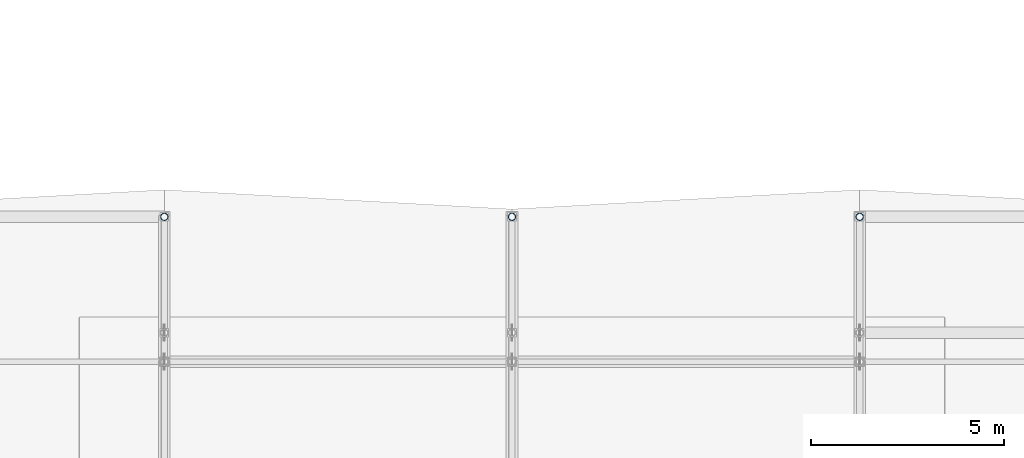
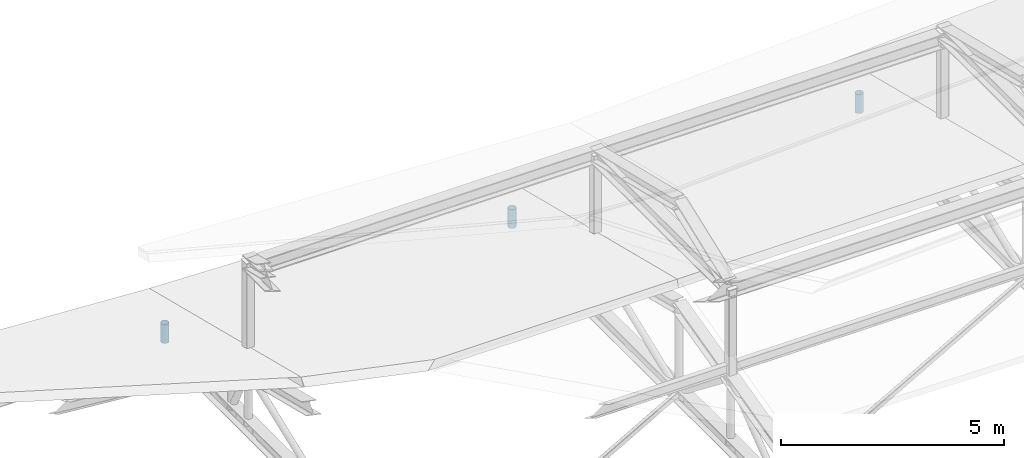
# One storey, part 27 of 55: 3 members.
"""IFC4 building model written with IfcOpenShell, lengths in metres."""

import ifcopenshell
import ifcopenshell.guid

model = None  # the IFC model being written
_history = None  # IfcOwnerHistory: only IFC2X3 demands one
_inside = {}  # id of a spatial element -> (the spatial element, [elements in it])
_under = {}  # id of a project, library or spatial element -> (it, [spatial elements below it])
_declared = {}  # id of a project -> (the project, [libraries it declares])
_typed = {}  # id of a type object -> (the type object, [elements of that type])
_made_of = {}  # id of a material, layer set ... -> (it, [elements and type objects made of it])


def new_model(schema):
    """Start an empty IFC model of exactly this schema.

    Asked for "IFC4X3", IfcOpenShell would pick the latest addendum, in which some entities
    have other attributes; the version numbers below select the first issue.
    IFC2X3 requires an IfcOwnerHistory on every rooted entity: one is made here for all.
    """
    global model, _history
    if schema == "IFC4X3":
        model = ifcopenshell.file(schema_version=(4, 3, 0, 0))
    else:
        model = ifcopenshell.file(schema=schema)
    _inside.clear()
    _under.clear()
    _declared.clear()
    _typed.clear()
    _made_of.clear()
    _history = None
    if model.schema == "IFC2X3":
        org = make("IfcOrganization", Name="unknown")
        user = make(
            "IfcPersonAndOrganization",
            ThePerson=make("IfcPerson", FamilyName="unknown"),
            TheOrganization=org,
        )
        app = make(
            "IfcApplication",
            ApplicationDeveloper=org,
            Version="unknown",
            ApplicationFullName="unknown",
            ApplicationIdentifier="unknown",
        )
        _history = make(
            "IfcOwnerHistory",
            OwningUser=user,
            OwningApplication=app,
            ChangeAction="ADDED",
            CreationDate=0,
        )
    return model


def make(cls, **values):
    """One entity of the class cls with the attributes given. An attribute that is None is left unset."""
    return model.create_entity(
        cls, **{name: value for name, value in values.items() if value is not None}
    )


def rooted(cls, **values):
    """An entity with a GlobalId (a new one), such as an element, a storey or a relation."""
    return make(cls, GlobalId=ifcopenshell.guid.new(), OwnerHistory=_history, **values)


def si_unit(unit_type, name, prefix=None):
    """IfcSIUnit, for example si_unit("LENGTHUNIT", "METRE", prefix="MILLI")."""
    return make("IfcSIUnit", UnitType=unit_type, Prefix=prefix, Name=name)


def assignment(units):
    """IfcUnitAssignment: the units of a project."""
    return None if units is None else make("IfcUnitAssignment", Units=units)


def point(xyz):
    """IfcCartesianPoint."""
    return None if xyz is None else make("IfcCartesianPoint", Coordinates=xyz)


def direction(xyz):
    """IfcDirection."""
    return None if xyz is None else make("IfcDirection", DirectionRatios=xyz)


def frame(location, z_axis=None, x_axis=None):
    """IfcAxis2Placement3D, a coordinate frame: its origin and axes. An axis left out is left unset."""
    return make(
        "IfcAxis2Placement3D",
        Location=point(location),
        Axis=direction(z_axis),
        RefDirection=direction(x_axis),
    )


def frame_2d(location, x_axis=None):
    """IfcAxis2Placement2D, a coordinate frame in the plane: its origin and x axis."""
    return make(
        "IfcAxis2Placement2D", Location=point(location), RefDirection=direction(x_axis)
    )


def origin():
    """The frame at (0, 0, 0) with its axes left unset."""
    return frame((0.0, 0.0, 0.0))


def origin_2d():
    """The frame at (0, 0) in the plane with its x axis left unset."""
    return frame_2d((0.0, 0.0))


def place(relative_to, where):
    """IfcLocalPlacement: puts the frame where relative to a parent placement (None: the world)."""
    return make(
        "IfcLocalPlacement", PlacementRelTo=relative_to, RelativePlacement=where
    )


def context(
    kind, dimensions, precision=None, world=None, true_north=None, identifier=None
):
    """IfcGeometricRepresentationContext, for example the 3D "Model" context."""
    return make(
        "IfcGeometricRepresentationContext",
        ContextIdentifier=identifier,
        ContextType=kind,
        CoordinateSpaceDimension=dimensions,
        Precision=precision,
        WorldCoordinateSystem=world,
        TrueNorth=true_north,
    )


def subcontext(parent, identifier, kind, view, scale=None):
    """IfcGeometricRepresentationSubContext, for example "Body" below "Model"."""
    return make(
        "IfcGeometricRepresentationSubContext",
        ContextIdentifier=identifier,
        ContextType=kind,
        ParentContext=parent,
        TargetScale=scale,
        TargetView=view,
    )


def project(units=None, contexts=None):
    """IfcProject with its units and contexts."""
    return rooted(
        "IfcProject",
        Name="project",
        RepresentationContexts=contexts,
        UnitsInContext=assignment(units),
    )


def spatial(cls, under=None, at=None, **own):
    """A site, building, storey or space (cls), placed at a placement, below another one or the project."""
    s = rooted(cls, ObjectPlacement=at, **own)
    if under is not None:
        _under.setdefault(under.id(), (under, []))[1].append(s)
    return s


def profile(cls, at=None, kind="AREA", **sizes):
    """A parametric profile (cls). Its sizes go by their IFC names, for example OverallWidth=200.0."""
    return make(cls, ProfileType=kind, Position=at, **sizes)


def hollow_circle(**sizes):
    """IfcCircleHollowProfileDef."""
    return profile("IfcCircleHollowProfileDef", **sizes)


def extrude(swept, where, along, depth):
    """IfcExtrudedAreaSolid: the profile swept, set in the frame where, extruded along a direction by depth."""
    return make(
        "IfcExtrudedAreaSolid",
        SweptArea=swept,
        Position=where,
        ExtrudedDirection=direction(along),
        Depth=depth,
    )


def shape(context_of_items, identifier, shape_type, items):
    """IfcShapeRepresentation: the items that make up one representation, for example the "Body"."""
    return make(
        "IfcShapeRepresentation",
        ContextOfItems=context_of_items,
        RepresentationIdentifier=identifier,
        RepresentationType=shape_type,
        Items=items,
    )


def material(Name=None, Category=None):
    """IfcMaterial."""
    return make("IfcMaterial", Name=Name, Category=Category)


def material_profile(
    of_material, cross_section, Name=None, Category=None, Priority=None
):
    """IfcMaterialProfile: a cross section and its material."""
    return make(
        "IfcMaterialProfile",
        Name=Name,
        Material=of_material,
        Profile=cross_section,
        Priority=Priority,
        Category=Category,
    )


def profile_set(profiles, Name=None, composite=None):
    """IfcMaterialProfileSet."""
    return make(
        "IfcMaterialProfileSet",
        Name=Name,
        MaterialProfiles=profiles,
        CompositeProfile=composite,
    )


def made_of(thing, what):
    """Note that an element or type object is made of a material, layer set ...; save() writes the relation."""
    if what is not None:
        _made_of.setdefault(what.id(), (what, []))[1].append(thing)
    return thing


def type_object(cls, material=None, **own):
    """A type object (cls), such as IfcWallType, which elements share."""
    return made_of(rooted(cls, **own), material)


def element(
    cls,
    number,
    at=None,
    inside=None,
    cuts=None,
    type_object=None,
    material=None,
    context=None,
    identifier="Body",
    shape_type=None,
    held_by="IfcProductDefinitionShape",
    body=None,
    shapes=None,
    **own,
):
    """One element of the class cls, such as IfcWall. Its Tag is "e" and its number.

    at: its placement. inside: the storey or other place that contains it. cuts: it is an
    opening in that element (IfcRelVoidsElement). A single representation is given by context,
    identifier, shape_type and body (its items); several are given by shapes. held_by: the class
    of the entity that holds the representations. save() writes the other relations.
    """
    e = rooted(cls, Tag="e%d" % number, ObjectPlacement=at, **own)
    if body is not None:
        shapes = [shape(context, identifier, shape_type, body)]
    if shapes is not None:
        e.Representation = make(held_by, Representations=shapes)
    if inside is not None:
        _inside.setdefault(inside.id(), (inside, []))[1].append(e)
    if cuts is not None:
        rooted(
            "IfcRelVoidsElement", RelatingBuildingElement=cuts, RelatedOpeningElement=e
        )
    if type_object is not None:
        _typed.setdefault(type_object.id(), (type_object, []))[1].append(e)
    return made_of(e, material)


def aggregate(whole, parts):
    """IfcRelAggregates: a whole, such as a stair, and the parts it consists of."""
    return rooted("IfcRelAggregates", RelatingObject=whole, RelatedObjects=parts)


def save(model, path):
    """Write the relations noted so far, then the file.

    IfcRelAggregates (storeys below a building ...), IfcRelContainedInSpatialStructure (elements
    in a storey), IfcRelDefinesByType, IfcRelAssociatesMaterial and IfcRelDeclares: one each for
    every whole, place, type object, material and project.
    """
    for whole, parts in _under.values():
        aggregate(whole, parts)
    for where, things in _inside.values():
        rooted(
            "IfcRelContainedInSpatialStructure",
            RelatedElements=things,
            RelatingStructure=where,
        )
    for kind, things in _typed.values():
        rooted("IfcRelDefinesByType", RelatedObjects=things, RelatingType=kind)
    for what, things in _made_of.values():
        rooted("IfcRelAssociatesMaterial", RelatedObjects=things, RelatingMaterial=what)
    for by, libraries in _declared.values():
        rooted("IfcRelDeclares", RelatingContext=by, RelatedDefinitions=libraries)
    model.write(path)


model = new_model("IFC4")

# Units and contexts
model_context = context("Model", 3, precision=1e-05, world=origin(), true_north=direction((0.0, 1.0)))
body_context = subcontext(model_context, "Body", "Model", "MODEL_VIEW")
ifc_project = project(units=[si_unit("LENGTHUNIT", "METRE"), si_unit("AREAUNIT", "SQUARE_METRE"), si_unit("VOLUMEUNIT", "CUBIC_METRE"), si_unit("PLANEANGLEUNIT", "RADIAN"), si_unit("MASSUNIT", "GRAM", prefix="KILO")], contexts=[model_context])

# Site, building, storey
site_placement = place(None, origin())
site = spatial("IfcSite", under=ifc_project, at=site_placement, CompositionType="ELEMENT")
building_placement = place(site_placement, origin())
building = spatial("IfcBuilding", under=site, at=building_placement, Name="Bozkorgan Art Gallery", CompositionType="ELEMENT")
storey_placement = place(building_placement, frame((0.0, 0.0, 15.0)))
storey = spatial("IfcBuildingStorey", under=building, at=storey_placement, Name="L03", CompositionType="ELEMENT", Elevation=15.0)

# Members
ifc_material = material(Name="Steel S355J2", Category="steel")
ifc_material_profile = material_profile(ifc_material, hollow_circle(Radius=0.096923828125, WallThickness=0.008056640625, at=origin_2d()), Name="CHS 193.7x8")
ifc_profile_set = profile_set([ifc_material_profile], Name="Steel S355J2")
member_type = type_object("IfcMemberType", Name="MEMBER-TP-46", PredefinedType="POST", material=ifc_profile_set)
for number, where, z_axis, x_axis, name in (
    (1, (92.0, 14.0, 0.199951171875), (0.0, 0.0, 1.0), (1.0, 0.0, 0.0), "ROOF-V3-MAIN roof truss 3 post 5"),
    (2, (101.0, 14.0, 0.199951171875), (0.0, 0.0, 1.0), (1.0, 0.0, 0.0), "ROOF-V3-MAIN roof truss 4 post 5"),
    (3, (110.0, 14.0, 0.199951171875), (0.0, 0.0, 1.0), (1.0, 0.0, 0.0), "ROOF-V3-MAIN roof truss 5 post 5"),
):
    element("IfcMember", number, at=place(storey_placement, frame(where, z_axis=z_axis, x_axis=x_axis)), inside=storey, type_object=member_type, Name=name, PredefinedType="POST", context=body_context, shape_type="SweptSolid", body=[
        extrude(hollow_circle(Radius=0.096923828125, WallThickness=0.008056640625, at=origin_2d()), origin(), (0.0, 0.0, 1.0), 0.51611328125),
    ])

save(model, "model.ifc")
